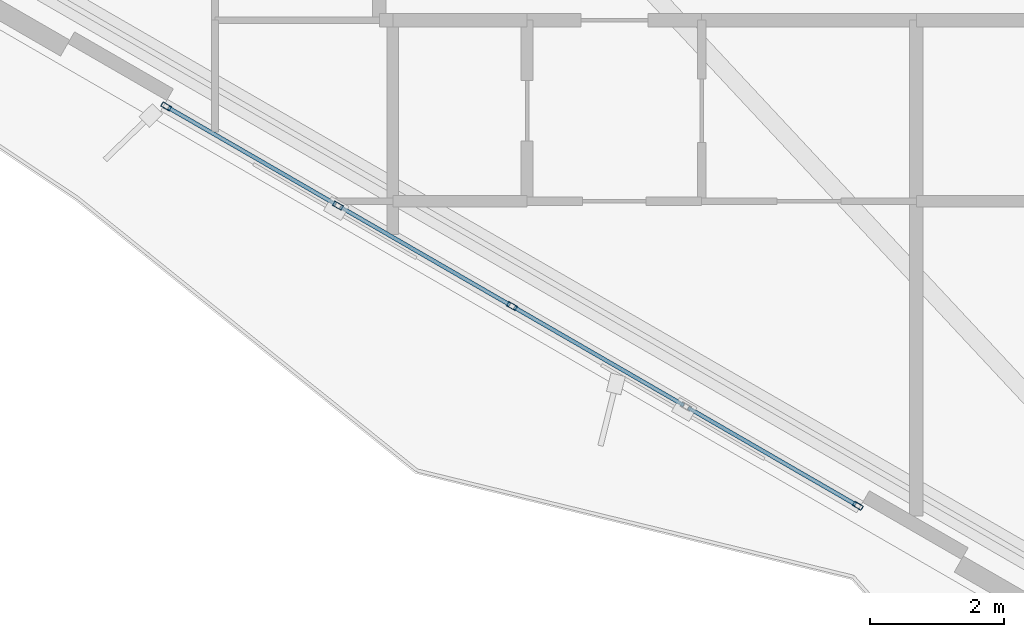
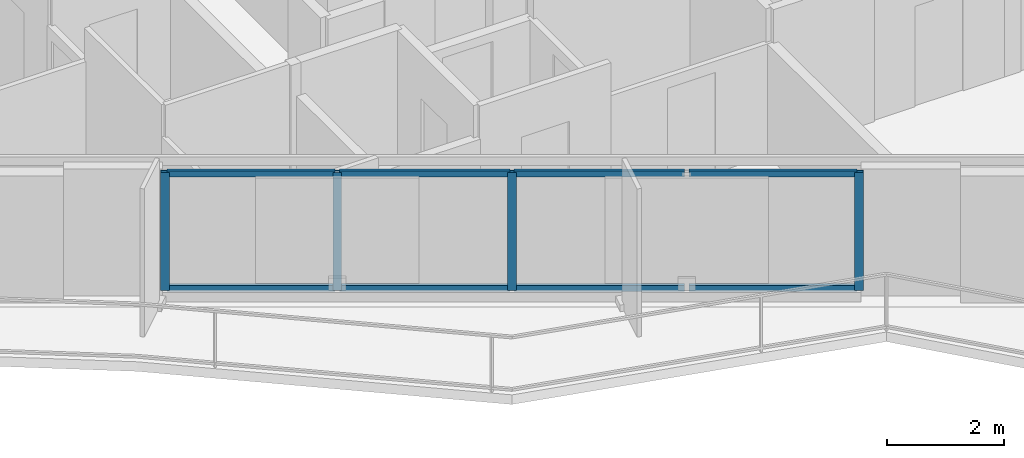
# One storey, part 2 of 18: 12 members, 1 element without a shape of its own.
"""IFC4 building model written with IfcOpenShell, lengths in metres."""

from ifc_helpers import new_model, si_unit, direction, frame, origin, origin_2d, place, context, subcontext, project, spatial, hollow_rectangle, extrude, material, layer, layer_set, material_profile, profile_set, type_object, element, aggregate, save


model = new_model("IFC4")

# Units and contexts
model_context = context("Model", 3, precision=1e-05, world=origin(), true_north=direction((0.0, 1.0)))
body_context = subcontext(model_context, "Body", "Model", "MODEL_VIEW")
ifc_project = project(units=[si_unit("LENGTHUNIT", "METRE"), si_unit("AREAUNIT", "SQUARE_METRE"), si_unit("VOLUMEUNIT", "CUBIC_METRE"), si_unit("PLANEANGLEUNIT", "RADIAN"), si_unit("MASSUNIT", "GRAM", prefix="KILO")], contexts=[model_context])

# Site, building, storey
site_placement = place(None, origin())
site = spatial("IfcSite", under=ifc_project, at=site_placement, CompositionType="ELEMENT")
building_placement = place(site_placement, origin())
building = spatial("IfcBuilding", under=site, at=building_placement, Name="Mersakhor Tower and Convention Hall", CompositionType="ELEMENT")
storey_placement = place(building_placement, frame((0.0, 0.0, 39.0)))
storey = spatial("IfcBuildingStorey", under=building, at=storey_placement, Name="L10", CompositionType="ELEMENT", Elevation=39.0)

# Curtain wall, members
ifc_material_1 = material(Name="Dark solar low-E aluminium curtain wall", Category="aluminium")
ifc_layer = layer(ifc_material_1, 0.159912109375)
ifc_layer_set = layer_set([ifc_layer], Name="Dark solar low-E aluminium curtain wall")
curtain_wall_type = type_object("IfcCurtainWallType", Name="CW-SYS-01", PredefinedType="USERDEFINED", material=ifc_layer_set)
curtain_wall_placement = place(storey_placement, origin())
curtain_wall = element("IfcCurtainWall", 1, at=curtain_wall_placement, inside=storey, type_object=curtain_wall_type, Name="L10 Dark-Glass Curtain Wall F3-B2", ObjectType="CURTAIN WALL", PredefinedType="USERDEFINED")
ifc_material_2 = material(Name="Anodised aluminium EN AW-6063 T6", Category="aluminium")
ifc_material_profile_1 = material_profile(ifc_material_2, hollow_rectangle(XDim=0.074951171875, YDim=0.14990234375, WallThickness=0.00634765625, at=origin_2d()), Name="RHS 150x75x6.3")
ifc_profile_set_1 = profile_set([ifc_material_profile_1], Name="Anodised aluminium EN AW-6063 T6")
member_type_1 = type_object("IfcMemberType", Name="CWM-150x75", PredefinedType="MULLION", material=ifc_profile_set_1)
member_1_placement = place(storey_placement, frame((26.72705078125, 10.9150390625, 0.199951171875), z_axis=(0.0, 0.0, 1.0), x_axis=(-0.50000344889, -0.866023412558, 0.0)))
member_1 = element("IfcMember", 2, at=member_1_placement, type_object=member_type_1, Name="CW-01 mullion 1", PredefinedType="MULLION", context=body_context, shape_type="SweptSolid", body=[
    extrude(hollow_rectangle(XDim=0.074951171875, YDim=0.14990234375, WallThickness=0.00634765625, at=origin_2d()), origin(), (0.0, 0.0, 1.0), 2.4599609375),
])
member_2_placement = place(storey_placement, frame((21.574951171875, 13.889404296875, 0.199951171875), z_axis=(0.0, 0.0, 1.0), x_axis=(-0.50000344889, -0.866023412558, 0.0)))
member_2 = element("IfcMember", 3, at=member_2_placement, type_object=member_type_1, Name="CW-01 mullion 3", PredefinedType="MULLION", context=body_context, shape_type="SweptSolid", body=[
    extrude(hollow_rectangle(XDim=0.074951171875, YDim=0.14990234375, WallThickness=0.00634765625, at=origin_2d()), origin(), (0.0, 0.0, 1.0), 2.4599609375),
])
member_3_placement = place(storey_placement, frame((18.982666015625, 15.38623046875, 0.199951171875), z_axis=(0.0, 0.0, 1.0), x_axis=(-0.50000344889, -0.866023412558, 0.0)))
member_3 = element("IfcMember", 4, at=member_3_placement, type_object=member_type_1, Name="CW-01 mullion 4", PredefinedType="MULLION", context=body_context, shape_type="SweptSolid", body=[
    extrude(hollow_rectangle(XDim=0.074951171875, YDim=0.14990234375, WallThickness=0.00634765625, at=origin_2d()), origin(), (0.0, 0.0, 1.0), 2.4599609375),
])
member_4_placement = place(storey_placement, frame((16.423095703125, 16.864013671875, 0.199951171875), z_axis=(0.0, 0.0, 1.0), x_axis=(-0.50000344889, -0.866023412558, 0.0)))
member_4 = element("IfcMember", 5, at=member_4_placement, type_object=member_type_1, Name="CW-01 mullion 5", PredefinedType="MULLION", context=body_context, shape_type="SweptSolid", body=[
    extrude(hollow_rectangle(XDim=0.074951171875, YDim=0.14990234375, WallThickness=0.00634765625, at=origin_2d()), origin(), (0.0, 0.0, 1.0), 2.4599609375),
])
ifc_material_3 = material(Name="Anodised aluminium EN AW-6063 T6", Category="aluminium")
ifc_material_profile_2 = material_profile(ifc_material_3, hollow_rectangle(XDim=0.06005859375, YDim=0.1201171875, WallThickness=0.0048828125, at=origin_2d()), Name="RHS 120x60x5")
ifc_profile_set_2 = profile_set([ifc_material_profile_2], Name="Anodised aluminium EN AW-6063 T6")
member_type_2 = type_object("IfcMemberType", Name="CWT-120x60", PredefinedType="USERDEFINED", material=ifc_profile_set_2)
member_5_placement = place(storey_placement, frame((26.694580078125, 10.93359375, 0.22998046875), z_axis=(-0.866023290103, 0.500003660985, 0.0), x_axis=(-0.500003660985, -0.866023290103, 0.0)))
member_5 = element("IfcMember", 6, at=member_5_placement, type_object=member_type_2, Name="CW-01 transom 1.1", ObjectType="TRANSOM", PredefinedType="USERDEFINED", context=body_context, shape_type="SweptSolid", body=[
    extrude(hollow_rectangle(XDim=0.06005859375, YDim=0.1201171875, WallThickness=0.0048828125, at=origin_2d()), origin(), (0.0, 0.0, 1.0), 2.880859375),
])
member_6_placement = place(storey_placement, frame((26.694580078125, 10.93359375, 2.6298828125), z_axis=(-0.866023290103, 0.500003660985, 0.0), x_axis=(-0.500003660985, -0.866023290103, 0.0)))
member_6 = element("IfcMember", 7, at=member_6_placement, type_object=member_type_2, Name="CW-01 transom 1.2", ObjectType="TRANSOM", PredefinedType="USERDEFINED", context=body_context, shape_type="SweptSolid", body=[
    extrude(hollow_rectangle(XDim=0.06005859375, YDim=0.1201171875, WallThickness=0.0048828125, at=origin_2d()), origin(), (0.0, 0.0, 1.0), 2.880859375),
])
member_7_placement = place(storey_placement, frame((24.134765625, 12.41162109375, 0.22998046875), z_axis=(-0.866015622527, 0.500016941252, 0.0), x_axis=(-0.500016941252, -0.866015622527, 0.0)))
member_7 = element("IfcMember", 8, at=member_7_placement, type_object=member_type_2, Name="CW-01 transom 2.1", ObjectType="TRANSOM", PredefinedType="USERDEFINED", context=body_context, shape_type="SweptSolid", body=[
    extrude(hollow_rectangle(XDim=0.06005859375, YDim=0.1201171875, WallThickness=0.0048828125, at=origin_2d()), origin(), (0.0, 0.0, 1.0), 2.91845703125),
])
member_8_placement = place(storey_placement, frame((24.134765625, 12.41162109375, 2.6298828125), z_axis=(-0.866015622527, 0.500016941252, 0.0), x_axis=(-0.500016941252, -0.866015622527, 0.0)))
member_8 = element("IfcMember", 9, at=member_8_placement, type_object=member_type_2, Name="CW-01 transom 2.2", ObjectType="TRANSOM", PredefinedType="USERDEFINED", context=body_context, shape_type="SweptSolid", body=[
    extrude(hollow_rectangle(XDim=0.06005859375, YDim=0.1201171875, WallThickness=0.0048828125, at=origin_2d()), origin(), (0.0, 0.0, 1.0), 2.91845703125),
])
member_9_placement = place(storey_placement, frame((21.54248046875, 13.908203125, 0.22998046875), z_axis=(-0.866015622527, 0.500016941252, 0.0), x_axis=(-0.500016941252, -0.866015622527, 0.0)))
member_9 = element("IfcMember", 10, at=member_9_placement, type_object=member_type_2, Name="CW-01 transom 3.1", ObjectType="TRANSOM", PredefinedType="USERDEFINED", context=body_context, shape_type="SweptSolid", body=[
    extrude(hollow_rectangle(XDim=0.06005859375, YDim=0.1201171875, WallThickness=0.0048828125, at=origin_2d()), origin(), (0.0, 0.0, 1.0), 2.91845703125),
])
member_10_placement = place(storey_placement, frame((21.54248046875, 13.908203125, 2.6298828125), z_axis=(-0.866015622527, 0.500016941252, 0.0), x_axis=(-0.500016941252, -0.866015622527, 0.0)))
member_10 = element("IfcMember", 11, at=member_10_placement, type_object=member_type_2, Name="CW-01 transom 3.2", ObjectType="TRANSOM", PredefinedType="USERDEFINED", context=body_context, shape_type="SweptSolid", body=[
    extrude(hollow_rectangle(XDim=0.06005859375, YDim=0.1201171875, WallThickness=0.0048828125, at=origin_2d()), origin(), (0.0, 0.0, 1.0), 2.91845703125),
])
member_11_placement = place(storey_placement, frame((18.9501953125, 15.40478515625, 0.22998046875), z_axis=(-0.866002100865, 0.500040359669, 0.0), x_axis=(-0.500040359669, -0.866002100865, 0.0)))
member_11 = element("IfcMember", 12, at=member_11_placement, type_object=member_type_2, Name="CW-01 transom 4.1", ObjectType="TRANSOM", PredefinedType="USERDEFINED", context=body_context, shape_type="SweptSolid", body=[
    extrude(hollow_rectangle(XDim=0.06005859375, YDim=0.1201171875, WallThickness=0.0048828125, at=origin_2d()), origin(), (0.0, 0.0, 1.0), 2.880615234375),
])
member_12_placement = place(storey_placement, frame((18.9501953125, 15.40478515625, 2.6298828125), z_axis=(-0.866002100865, 0.500040359669, 0.0), x_axis=(-0.500040359669, -0.866002100865, 0.0)))
member_12 = element("IfcMember", 13, at=member_12_placement, type_object=member_type_2, Name="CW-01 transom 4.2", ObjectType="TRANSOM", PredefinedType="USERDEFINED", context=body_context, shape_type="SweptSolid", body=[
    extrude(hollow_rectangle(XDim=0.06005859375, YDim=0.1201171875, WallThickness=0.0048828125, at=origin_2d()), origin(), (0.0, 0.0, 1.0), 2.880615234375),
])
aggregate(curtain_wall, [member_1, member_2, member_3, member_4, member_5, member_6, member_7, member_8, member_9, member_10, member_11, member_12])

save(model, "model.ifc")
